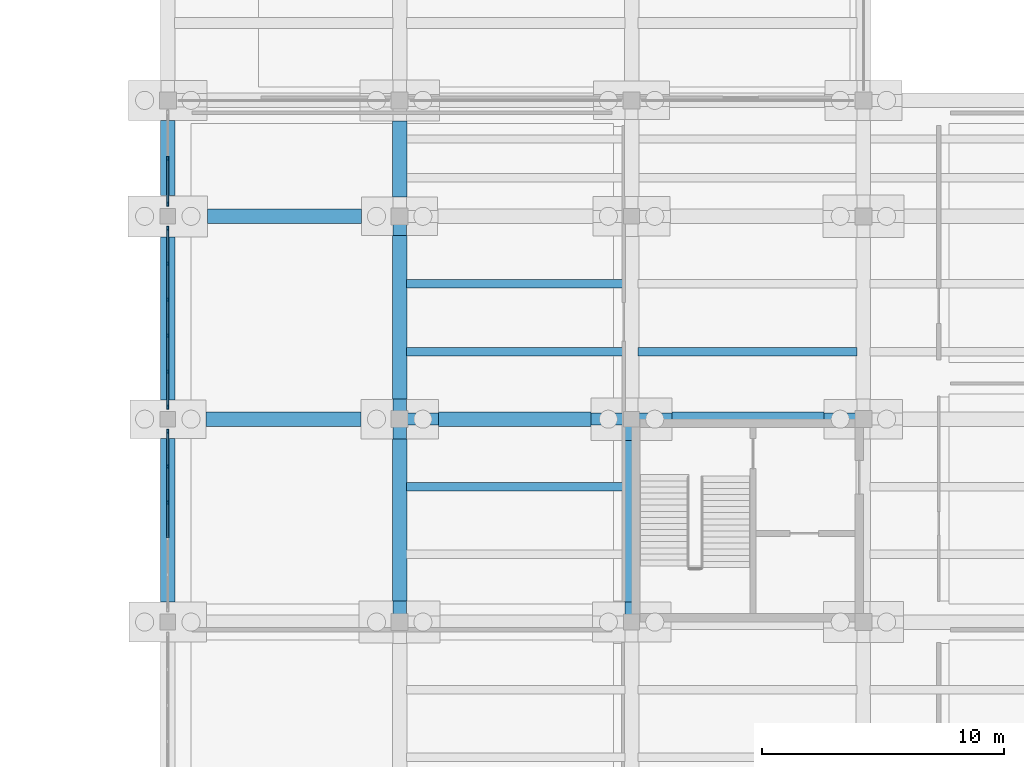
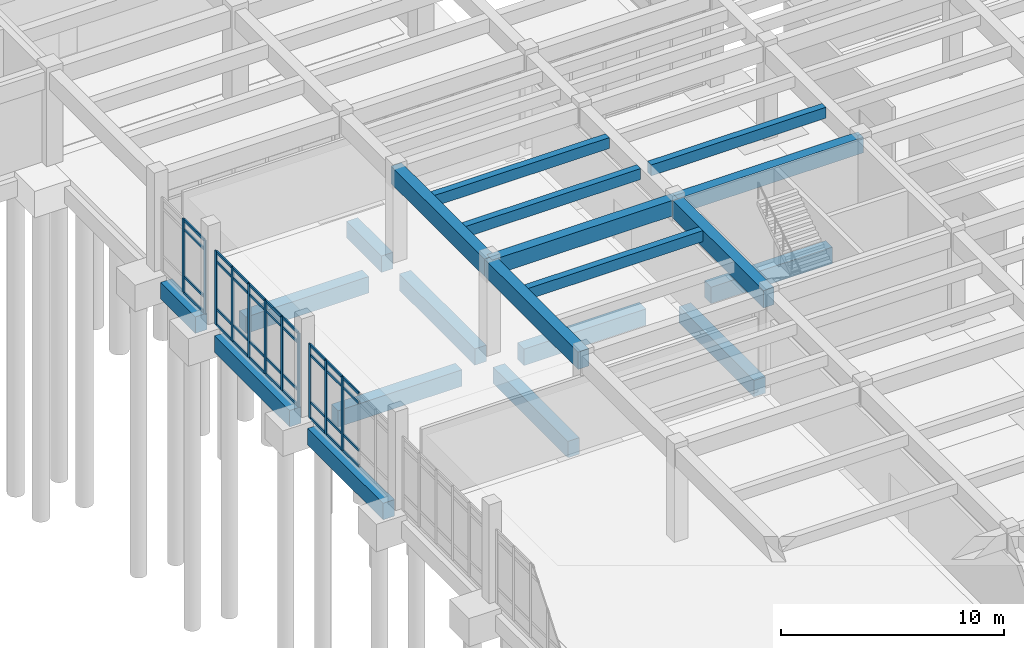
# One storey, part 49 of 102: 47 members, 20 beams, 3 elements without a shape of their own.
"""IFC4 building model written with IfcOpenShell, lengths in metres."""

from ifc_helpers import new_model, si_unit, direction, frame, origin, origin_2d, place, context, subcontext, project, spatial, rectangle, extrude, material, layer, layer_set, material_profile, profile_set, type_object, element, aggregate, save


model = new_model("IFC4")

# Units and contexts
model_context = context("Model", 3, precision=1e-05, world=origin(), true_north=direction((0.0, 1.0)))
body_context = subcontext(model_context, "Body", "Model", "MODEL_VIEW")
ifc_project = project(units=[si_unit("LENGTHUNIT", "METRE"), si_unit("AREAUNIT", "SQUARE_METRE"), si_unit("VOLUMEUNIT", "CUBIC_METRE"), si_unit("PLANEANGLEUNIT", "RADIAN"), si_unit("MASSUNIT", "GRAM", prefix="KILO")], contexts=[model_context])

# Site, building, storey
site_placement = place(None, origin())
site = spatial("IfcSite", under=ifc_project, at=site_placement, CompositionType="ELEMENT")
building_placement = place(site_placement, origin())
building = spatial("IfcBuilding", under=site, at=building_placement, Name="Kolvemor Railside Polytechnic", CompositionType="ELEMENT")
storey_placement = place(building_placement, origin())
storey = spatial("IfcBuildingStorey", under=building, at=storey_placement, Name="L00", CompositionType="ELEMENT", Elevation=0.0)

# Beams
ifc_material_1 = material(Name="Concrete C40/50", Category="concrete")
ifc_material_profile_1 = material_profile(ifc_material_1, rectangle(XDim=0.550048828125, YDim=0.949951171875, at=origin_2d()), Name="RC550x950")
ifc_profile_set_1 = profile_set([ifc_material_profile_1], Name="Concrete C40/50")
beam_type_1 = type_object("IfcBeamType", Name="BM-RC-GIRD", PredefinedType="BEAM", material=ifc_profile_set_1)
beam_1_placement = place(storey_placement, frame((144.0, 60.0, 4.635009765625), z_axis=(0.0, 1.0, 0.0), x_axis=(-1.0, 0.0, 0.0)))
element("IfcBeam", 1, at=beam_1_placement, inside=storey, type_object=beam_type_1, Name="Primary Girder L01-GY 0384", PredefinedType="BEAM", context=body_context, shape_type="SweptSolid", body=[
    extrude(rectangle(XDim=0.550048828125, YDim=0.949951171875, at=origin_2d()), origin(), (0.0, 0.0, 1.0), 8.39990234375),
])
beam_2_placement = place(storey_placement, frame((144.0, 68.39990234375, 4.635009765625), z_axis=(0.0, 1.0, 0.0), x_axis=(-1.0, 0.0, 0.0)))
element("IfcBeam", 2, at=beam_2_placement, inside=storey, type_object=beam_type_1, Name="Primary Girder L01-GY 0385", PredefinedType="BEAM", context=body_context, shape_type="SweptSolid", body=[
    extrude(rectangle(XDim=0.550048828125, YDim=0.949951171875, at=origin_2d()), origin(), (0.0, 0.0, 1.0), 8.400146484375),
])
beam_3_placement = place(storey_placement, frame((153.60009765625, 60.0, 4.635009765625), z_axis=(0.0, 1.0, 0.0), x_axis=(-1.0, 0.0, 0.0)))
element("IfcBeam", 3, at=beam_3_placement, inside=storey, type_object=beam_type_1, Name="Primary Girder L01-GY 0393", PredefinedType="BEAM", context=body_context, shape_type="SweptSolid", body=[
    extrude(rectangle(XDim=0.550048828125, YDim=0.949951171875, at=origin_2d()), origin(), (0.0, 0.0, 1.0), 8.39990234375),
])
ifc_material_2 = material(Name="Concrete C40/50", Category="concrete")
ifc_material_profile_2 = material_profile(ifc_material_2, rectangle(XDim=0.5, YDim=0.85009765625, at=origin_2d()), Name="RC500x850")
ifc_profile_set_2 = profile_set([ifc_material_profile_2], Name="Concrete C40/50")
beam_type_2 = type_object("IfcBeamType", Name="BM-RC-GIRD3", PredefinedType="BEAM", material=ifc_profile_set_2)
beam_4_placement = place(storey_placement, frame((144.0, 68.39990234375, 4.68505859375), z_axis=(1.0, 0.0, 0.0), x_axis=(0.0, 1.0, 0.0)))
element("IfcBeam", 4, at=beam_4_placement, inside=storey, type_object=beam_type_2, Name="Primary Girder L01-GX 0366", PredefinedType="BEAM", context=body_context, shape_type="SweptSolid", body=[
    extrude(rectangle(XDim=0.5, YDim=0.85009765625, at=origin_2d()), origin(), (0.0, 0.0, 1.0), 9.60009765625),
])
beam_5_placement = place(storey_placement, frame((153.60009765625, 68.39990234375, 4.68505859375), z_axis=(1.0, 0.0, 0.0), x_axis=(0.0, 1.0, 0.0)))
element("IfcBeam", 5, at=beam_5_placement, inside=storey, type_object=beam_type_2, Name="Primary Girder L01-GX 0367", PredefinedType="BEAM", context=body_context, shape_type="SweptSolid", body=[
    extrude(rectangle(XDim=0.5, YDim=0.85009765625, at=origin_2d()), origin(), (0.0, 0.0, 1.0), 9.599853515625),
])
ifc_material_3 = material(Name="Concrete C40/50", Category="concrete")
ifc_material_profile_3 = material_profile(ifc_material_3, rectangle(XDim=0.35009765625, YDim=0.60009765625, at=origin_2d()), Name="RC350x600")
ifc_profile_set_3 = profile_set([ifc_material_profile_3], Name="Concrete C40/50")
beam_type_3 = type_object("IfcBeamType", Name="BM-RC-SEC3", PredefinedType="JOIST", material=ifc_profile_set_3)
for number, where, z_axis, x_axis, name in (
    (6, (144.27490234375, 65.60009765625, 4.81005859375), (1.0, 0.0, 0.0), (0.0, 1.0, 0.0), "Floor Joist L01-J0436"),
    (7, (144.27490234375, 71.199951171875, 4.81005859375), (1.0, 0.0, 0.0), (0.0, 1.0, 0.0), "Floor Joist L01-J0437"),
    (8, (144.27490234375, 74.0, 4.81005859375), (1.0, 0.0, 0.0), (0.0, 1.0, 0.0), "Floor Joist L01-J0438"),
    (9, (153.875, 71.199951171875, 4.81005859375), (1.0, 0.0, 0.0), (0.0, 1.0, 0.0), "Floor Joist L01-J0451"),
):
    element("IfcBeam", number, at=place(storey_placement, frame(where, z_axis=z_axis, x_axis=x_axis)), inside=storey, type_object=beam_type_3, Name=name, PredefinedType="JOIST", context=body_context, shape_type="SweptSolid", body=[
        extrude(rectangle(XDim=0.35009765625, YDim=0.60009765625, at=origin_2d()), origin(), (0.0, 0.0, 1.0), 9.050048828125),
    ])
ifc_material_4 = material(Name="Concrete C40/50", Category="concrete")
ifc_material_profile_4 = material_profile(ifc_material_4, rectangle(XDim=0.60009765625, YDim=0.89990234375, at=origin_2d()), Name="RC600x900")
ifc_profile_set_4 = profile_set([ifc_material_profile_4], Name="Concrete C40/50")
beam_type_4 = type_object("IfcBeamType", Name="BM-RC-TIE", PredefinedType="BEAM", material=ifc_profile_set_4)
beam_6_placement = place(storey_placement, frame((135.97705078125, 68.39990234375, -0.75), z_axis=(1.0, 0.0, 0.0), x_axis=(0.0, 1.0, 0.0)))
element("IfcBeam", 10, at=beam_6_placement, inside=storey, type_object=beam_type_4, Name="Ground Tie Beam GTB-X160", PredefinedType="BEAM", context=body_context, shape_type="SweptSolid", body=[
    extrude(rectangle(XDim=0.60009765625, YDim=0.89990234375, at=origin_2d()), origin(), (0.0, 0.0, 1.0), 6.4208984375),
])
beam_7_placement = place(storey_placement, frame((145.60205078125, 68.39990234375, -0.75), z_axis=(1.0, 0.0, 0.0), x_axis=(0.0, 1.0, 0.0)))
element("IfcBeam", 11, at=beam_7_placement, inside=storey, type_object=beam_type_4, Name="Ground Tie Beam GTB-X161", PredefinedType="BEAM", context=body_context, shape_type="SweptSolid", body=[
    extrude(rectangle(XDim=0.60009765625, YDim=0.89990234375, at=origin_2d()), origin(), (0.0, 0.0, 1.0), 6.321044921875),
])
beam_8_placement = place(storey_placement, frame((155.277099609375, 68.39990234375, -0.75), z_axis=(1.0, 0.0, 0.0), x_axis=(0.0, 1.0, 0.0)))
element("IfcBeam", 12, at=beam_8_placement, inside=storey, type_object=beam_type_4, Name="Ground Tie Beam GTB-X162", PredefinedType="BEAM", context=body_context, shape_type="SweptSolid", body=[
    extrude(rectangle(XDim=0.60009765625, YDim=0.89990234375, at=origin_2d()), origin(), (0.0, 0.0, 1.0), 6.2958984375),
])
beam_9_placement = place(storey_placement, frame((136.052001953125, 76.800048828125, -0.75), z_axis=(1.0, 0.0, 0.0), x_axis=(0.0, 1.0, 0.0)))
element("IfcBeam", 13, at=beam_9_placement, inside=storey, type_object=beam_type_4, Name="Ground Tie Beam GTB-X170", PredefinedType="BEAM", context=body_context, shape_type="SweptSolid", body=[
    extrude(rectangle(XDim=0.60009765625, YDim=0.89990234375, at=origin_2d()), origin(), (0.0, 0.0, 1.0), 6.37109375),
])
beam_10_placement = place(storey_placement, frame((134.39990234375, 60.826904296875, -0.75), z_axis=(0.0, 1.0, 0.0), x_axis=(-1.0, 0.0, 0.0)))
element("IfcBeam", 14, at=beam_10_placement, inside=storey, type_object=beam_type_4, Name="Ground Tie Beam GTB-Y385", PredefinedType="BEAM", context=body_context, shape_type="SweptSolid", body=[
    extrude(rectangle(XDim=0.60009765625, YDim=0.89990234375, at=origin_2d()), origin(), (0.0, 0.0, 1.0), 6.77099609375),
])
beam_11_placement = place(storey_placement, frame((134.39990234375, 69.201904296875, -0.75), z_axis=(0.0, 1.0, 0.0), x_axis=(-1.0, 0.0, 0.0)))
element("IfcBeam", 15, at=beam_11_placement, inside=storey, type_object=beam_type_4, Name="Ground Tie Beam GTB-Y386", PredefinedType="BEAM", context=body_context, shape_type="SweptSolid", body=[
    extrude(rectangle(XDim=0.60009765625, YDim=0.89990234375, at=origin_2d()), origin(), (0.0, 0.0, 1.0), 6.74609375),
])
beam_12_placement = place(storey_placement, frame((134.39990234375, 77.652099609375, -0.75), z_axis=(0.0, 1.0, 0.0), x_axis=(-1.0, 0.0, 0.0)))
element("IfcBeam", 16, at=beam_12_placement, inside=storey, type_object=beam_type_4, Name="Ground Tie Beam GTB-Y387", PredefinedType="BEAM", context=body_context, shape_type="SweptSolid", body=[
    extrude(rectangle(XDim=0.60009765625, YDim=0.89990234375, at=origin_2d()), origin(), (0.0, 0.0, 1.0), 3.120849609375),
])
beam_13_placement = place(storey_placement, frame((144.0, 60.876953125, -0.75), z_axis=(0.0, 1.0, 0.0), x_axis=(-1.0, 0.0, 0.0)))
element("IfcBeam", 17, at=beam_13_placement, inside=storey, type_object=beam_type_4, Name="Ground Tie Beam GTB-Y398", PredefinedType="BEAM", context=body_context, shape_type="SweptSolid", body=[
    extrude(rectangle(XDim=0.60009765625, YDim=0.89990234375, at=origin_2d()), origin(), (0.0, 0.0, 1.0), 6.696044921875),
])
beam_14_placement = place(storey_placement, frame((144.0, 69.22705078125, -0.75), z_axis=(0.0, 1.0, 0.0), x_axis=(-1.0, 0.0, 0.0)))
element("IfcBeam", 18, at=beam_14_placement, inside=storey, type_object=beam_type_4, Name="Ground Tie Beam GTB-Y399", PredefinedType="BEAM", context=body_context, shape_type="SweptSolid", body=[
    extrude(rectangle(XDim=0.60009765625, YDim=0.89990234375, at=origin_2d()), origin(), (0.0, 0.0, 1.0), 6.77099609375),
])
beam_15_placement = place(storey_placement, frame((144.0, 77.60205078125, -0.75), z_axis=(0.0, 1.0, 0.0), x_axis=(-1.0, 0.0, 0.0)))
element("IfcBeam", 19, at=beam_15_placement, inside=storey, type_object=beam_type_4, Name="Ground Tie Beam GTB-Y400", PredefinedType="BEAM", context=body_context, shape_type="SweptSolid", body=[
    extrude(rectangle(XDim=0.60009765625, YDim=0.89990234375, at=origin_2d()), origin(), (0.0, 0.0, 1.0), 3.14599609375),
])
beam_16_placement = place(storey_placement, frame((153.60009765625, 60.826904296875, -0.75), z_axis=(0.0, 1.0, 0.0), x_axis=(-1.0, 0.0, 0.0)))
element("IfcBeam", 20, at=beam_16_placement, inside=storey, type_object=beam_type_4, Name="Ground Tie Beam GTB-Y411", PredefinedType="BEAM", context=body_context, shape_type="SweptSolid", body=[
    extrude(rectangle(XDim=0.60009765625, YDim=0.89990234375, at=origin_2d()), origin(), (0.0, 0.0, 1.0), 6.696044921875),
])

# Curtain wall, members
ifc_material_5 = material(Name="Anodised marine aluminium and laminated low-E glass", Category="aluminium")
ifc_layer = layer(ifc_material_5, 0.179931640625, Name="CW-UNIT-STD")
ifc_layer_set = layer_set([ifc_layer], Name="Anodised marine aluminium and laminated low-E glass")
curtain_wall_type = type_object("IfcCurtainWallType", Name="CW-UNIT-STD", PredefinedType="USERDEFINED", material=ifc_layer_set)
curtain_wall_1_placement = place(storey_placement, origin())
curtain_wall_1 = element("IfcCurtainWall", 21, at=curtain_wall_1_placement, inside=storey, type_object=curtain_wall_type, Name="Curtain Wall L00-079", ObjectType="UNITISED CURTAIN WALL", PredefinedType="USERDEFINED")
ifc_material_6 = material(Name="Anodised marine aluminium 6063-T6", Category="aluminium")
ifc_material_profile_5 = material_profile(ifc_material_6, rectangle(XDim=0.074951171875, YDim=0.179931640625, at=origin_2d()), Name="CW-MUL-75x180")
ifc_profile_set_5 = profile_set([ifc_material_profile_5], Name="Anodised marine aluminium 6063-T6")
member_type_1 = type_object("IfcMemberType", Name="CWM-75x180", PredefinedType="MULLION", material=ifc_profile_set_5)
member_1_placement = place(storey_placement, frame((134.39990234375, 67.892578125, 0.0), z_axis=(0.0, 0.0, 1.0), x_axis=(1.0, 0.0, 0.0)))
member_1 = element("IfcMember", 22, at=member_1_placement, type_object=member_type_1, Name="CW-STD mullion 1", PredefinedType="MULLION", context=body_context, shape_type="SweptSolid", body=[
    extrude(rectangle(XDim=0.074951171875, YDim=0.179931640625, at=origin_2d()), origin(), (0.0, 0.0, 1.0), 4.0400390625),
])
member_2_placement = place(storey_placement, frame((134.39990234375, 66.43798828125, 0.0), z_axis=(0.0, 0.0, 1.0), x_axis=(1.0, 0.0, 0.0)))
member_2 = element("IfcMember", 23, at=member_2_placement, type_object=member_type_1, Name="CW-STD mullion 2", PredefinedType="MULLION", context=body_context, shape_type="SweptSolid", body=[
    extrude(rectangle(XDim=0.074951171875, YDim=0.179931640625, at=origin_2d()), origin(), (0.0, 0.0, 1.0), 4.0400390625),
])
member_3_placement = place(storey_placement, frame((134.39990234375, 64.946044921875, 0.0), z_axis=(0.0, 0.0, 1.0), x_axis=(1.0, 0.0, 0.0)))
member_3 = element("IfcMember", 24, at=member_3_placement, type_object=member_type_1, Name="CW-STD mullion 3", PredefinedType="MULLION", context=body_context, shape_type="SweptSolid", body=[
    extrude(rectangle(XDim=0.074951171875, YDim=0.179931640625, at=origin_2d()), origin(), (0.0, 0.0, 1.0), 4.0400390625),
])

curtain_wall_2_placement = place(storey_placement, origin())
curtain_wall_2 = element("IfcCurtainWall", 25, at=curtain_wall_2_placement, inside=storey, type_object=curtain_wall_type, Name="Curtain Wall L00-086", ObjectType="UNITISED CURTAIN WALL", PredefinedType="USERDEFINED")
member_4_placement = place(storey_placement, frame((134.39990234375, 76.29248046875, 0.0), z_axis=(0.0, 0.0, 1.0), x_axis=(1.0, 0.0, 0.0)))
member_4 = element("IfcMember", 26, at=member_4_placement, type_object=member_type_1, Name="CW-STD mullion 1", PredefinedType="MULLION", context=body_context, shape_type="SweptSolid", body=[
    extrude(rectangle(XDim=0.074951171875, YDim=0.179931640625, at=origin_2d()), origin(), (0.0, 0.0, 1.0), 4.0400390625),
])
member_5_placement = place(storey_placement, frame((134.39990234375, 74.837890625, 0.0), z_axis=(0.0, 0.0, 1.0), x_axis=(1.0, 0.0, 0.0)))
member_5 = element("IfcMember", 27, at=member_5_placement, type_object=member_type_1, Name="CW-STD mullion 2", PredefinedType="MULLION", context=body_context, shape_type="SweptSolid", body=[
    extrude(rectangle(XDim=0.074951171875, YDim=0.179931640625, at=origin_2d()), origin(), (0.0, 0.0, 1.0), 4.0400390625),
])
member_6_placement = place(storey_placement, frame((134.39990234375, 73.345947265625, 0.0), z_axis=(0.0, 0.0, 1.0), x_axis=(1.0, 0.0, 0.0)))
member_6 = element("IfcMember", 28, at=member_6_placement, type_object=member_type_1, Name="CW-STD mullion 3", PredefinedType="MULLION", context=body_context, shape_type="SweptSolid", body=[
    extrude(rectangle(XDim=0.074951171875, YDim=0.179931640625, at=origin_2d()), origin(), (0.0, 0.0, 1.0), 4.0400390625),
])
member_7_placement = place(storey_placement, frame((134.39990234375, 71.85400390625, 0.0), z_axis=(0.0, 0.0, 1.0), x_axis=(1.0, 0.0, 0.0)))
member_7 = element("IfcMember", 29, at=member_7_placement, type_object=member_type_1, Name="CW-STD mullion 4", PredefinedType="MULLION", context=body_context, shape_type="SweptSolid", body=[
    extrude(rectangle(XDim=0.074951171875, YDim=0.179931640625, at=origin_2d()), origin(), (0.0, 0.0, 1.0), 4.0400390625),
])
member_8_placement = place(storey_placement, frame((134.39990234375, 70.362060546875, 0.0), z_axis=(0.0, 0.0, 1.0), x_axis=(1.0, 0.0, 0.0)))
member_8 = element("IfcMember", 30, at=member_8_placement, type_object=member_type_1, Name="CW-STD mullion 5", PredefinedType="MULLION", context=body_context, shape_type="SweptSolid", body=[
    extrude(rectangle(XDim=0.074951171875, YDim=0.179931640625, at=origin_2d()), origin(), (0.0, 0.0, 1.0), 4.0400390625),
])
member_9_placement = place(storey_placement, frame((134.39990234375, 68.907470703125, 0.0), z_axis=(0.0, 0.0, 1.0), x_axis=(1.0, 0.0, 0.0)))
member_9 = element("IfcMember", 31, at=member_9_placement, type_object=member_type_1, Name="CW-STD mullion 6", PredefinedType="MULLION", context=body_context, shape_type="SweptSolid", body=[
    extrude(rectangle(XDim=0.074951171875, YDim=0.179931640625, at=origin_2d()), origin(), (0.0, 0.0, 1.0), 4.0400390625),
])

curtain_wall_3_placement = place(storey_placement, origin())
curtain_wall_3 = element("IfcCurtainWall", 32, at=curtain_wall_3_placement, inside=storey, type_object=curtain_wall_type, Name="Curtain Wall L00-092", ObjectType="UNITISED CURTAIN WALL", PredefinedType="USERDEFINED")
member_10_placement = place(storey_placement, frame((134.39990234375, 79.199951171875, 0.0), z_axis=(0.0, 0.0, 1.0), x_axis=(1.0, 0.0, 0.0)))
member_10 = element("IfcMember", 33, at=member_10_placement, type_object=member_type_1, Name="CW-STD mullion 2", PredefinedType="MULLION", context=body_context, shape_type="SweptSolid", body=[
    extrude(rectangle(XDim=0.074951171875, YDim=0.179931640625, at=origin_2d()), origin(), (0.0, 0.0, 1.0), 4.0400390625),
])
member_11_placement = place(storey_placement, frame((134.39990234375, 77.3076171875, 0.0), z_axis=(0.0, 0.0, 1.0), x_axis=(1.0, 0.0, 0.0)))
member_11 = element("IfcMember", 34, at=member_11_placement, type_object=member_type_1, Name="CW-STD mullion 3", PredefinedType="MULLION", context=body_context, shape_type="SweptSolid", body=[
    extrude(rectangle(XDim=0.074951171875, YDim=0.179931640625, at=origin_2d()), origin(), (0.0, 0.0, 1.0), 4.0400390625),
])

# Member
ifc_material_7 = material(Name="Anodised marine aluminium 6063-T6", Category="aluminium")
ifc_material_profile_6 = material_profile(ifc_material_7, rectangle(XDim=0.074951171875, YDim=0.139892578125, at=origin_2d()), Name="CW-TRN-75x140")
ifc_profile_set_6 = profile_set([ifc_material_profile_6], Name="Anodised marine aluminium 6063-T6")
member_type_2 = type_object("IfcMemberType", Name="CWT-75x140", PredefinedType="USERDEFINED", material=ifc_profile_set_6)
member_12_placement = place(storey_placement, frame((134.39990234375, 67.85498046875, 0.03759765625), z_axis=(0.0, -1.0, 0.0), x_axis=(1.0, 0.0, 0.0)))
member_12 = element("IfcMember", 35, at=member_12_placement, type_object=member_type_2, Name="CW-STD transom 1.1", ObjectType="TRANSOM", PredefinedType="USERDEFINED", context=body_context, shape_type="SweptSolid", body=[
    extrude(rectangle(XDim=0.074951171875, YDim=0.139892578125, at=origin_2d()), origin(), (0.0, 0.0, 1.0), 1.37939453125),
])

member_13_placement = place(storey_placement, frame((134.39990234375, 67.85498046875, 0.89990234375), z_axis=(0.0, -1.0, 0.0), x_axis=(1.0, 0.0, 0.0)))
member_13 = element("IfcMember", 36, at=member_13_placement, type_object=member_type_2, Name="CW-STD transom 1.2", ObjectType="TRANSOM", PredefinedType="USERDEFINED", context=body_context, shape_type="SweptSolid", body=[
    extrude(rectangle(XDim=0.074951171875, YDim=0.139892578125, at=origin_2d()), origin(), (0.0, 0.0, 1.0), 1.37939453125),
])

member_14_placement = place(storey_placement, frame((134.39990234375, 67.85498046875, 3.489990234375), z_axis=(0.0, -1.0, 0.0), x_axis=(1.0, 0.0, 0.0)))
member_14 = element("IfcMember", 37, at=member_14_placement, type_object=member_type_2, Name="CW-STD transom 1.3", ObjectType="TRANSOM", PredefinedType="USERDEFINED", context=body_context, shape_type="SweptSolid", body=[
    extrude(rectangle(XDim=0.074951171875, YDim=0.139892578125, at=origin_2d()), origin(), (0.0, 0.0, 1.0), 1.37939453125),
])

member_15_placement = place(storey_placement, frame((134.39990234375, 67.85498046875, 4.00244140625), z_axis=(0.0, -1.0, 0.0), x_axis=(1.0, 0.0, 0.0)))
member_15 = element("IfcMember", 38, at=member_15_placement, type_object=member_type_2, Name="CW-STD transom 1.4", ObjectType="TRANSOM", PredefinedType="USERDEFINED", context=body_context, shape_type="SweptSolid", body=[
    extrude(rectangle(XDim=0.074951171875, YDim=0.139892578125, at=origin_2d()), origin(), (0.0, 0.0, 1.0), 1.37939453125),
])

member_16_placement = place(storey_placement, frame((134.39990234375, 66.400390625, 0.03759765625), z_axis=(0.0, -1.0, 0.0), x_axis=(1.0, 0.0, 0.0)))
member_16 = element("IfcMember", 39, at=member_16_placement, type_object=member_type_2, Name="CW-STD transom 2.1", ObjectType="TRANSOM", PredefinedType="USERDEFINED", context=body_context, shape_type="SweptSolid", body=[
    extrude(rectangle(XDim=0.074951171875, YDim=0.139892578125, at=origin_2d()), origin(), (0.0, 0.0, 1.0), 1.4169921875),
])

member_17_placement = place(storey_placement, frame((134.39990234375, 66.400390625, 0.89990234375), z_axis=(0.0, -1.0, 0.0), x_axis=(1.0, 0.0, 0.0)))
member_17 = element("IfcMember", 40, at=member_17_placement, type_object=member_type_2, Name="CW-STD transom 2.2", ObjectType="TRANSOM", PredefinedType="USERDEFINED", context=body_context, shape_type="SweptSolid", body=[
    extrude(rectangle(XDim=0.074951171875, YDim=0.139892578125, at=origin_2d()), origin(), (0.0, 0.0, 1.0), 1.4169921875),
])

member_18_placement = place(storey_placement, frame((134.39990234375, 66.400390625, 3.489990234375), z_axis=(0.0, -1.0, 0.0), x_axis=(1.0, 0.0, 0.0)))
member_18 = element("IfcMember", 41, at=member_18_placement, type_object=member_type_2, Name="CW-STD transom 2.3", ObjectType="TRANSOM", PredefinedType="USERDEFINED", context=body_context, shape_type="SweptSolid", body=[
    extrude(rectangle(XDim=0.074951171875, YDim=0.139892578125, at=origin_2d()), origin(), (0.0, 0.0, 1.0), 1.4169921875),
])

member_19_placement = place(storey_placement, frame((134.39990234375, 66.400390625, 4.00244140625), z_axis=(0.0, -1.0, 0.0), x_axis=(1.0, 0.0, 0.0)))
member_19 = element("IfcMember", 42, at=member_19_placement, type_object=member_type_2, Name="CW-STD transom 2.4", ObjectType="TRANSOM", PredefinedType="USERDEFINED", context=body_context, shape_type="SweptSolid", body=[
    extrude(rectangle(XDim=0.074951171875, YDim=0.139892578125, at=origin_2d()), origin(), (0.0, 0.0, 1.0), 1.4169921875),
])

member_20_placement = place(storey_placement, frame((134.39990234375, 64.908447265625, 0.03759765625), z_axis=(0.0, -1.0, 0.0), x_axis=(1.0, 0.0, 0.0)))
member_20 = element("IfcMember", 43, at=member_20_placement, type_object=member_type_2, Name="CW-STD transom 3.1", ObjectType="TRANSOM", PredefinedType="USERDEFINED", context=body_context, shape_type="SweptSolid", body=[
    extrude(rectangle(XDim=0.074951171875, YDim=0.139892578125, at=origin_2d()), origin(), (0.0, 0.0, 1.0), 1.4169921875),
])

member_21_placement = place(storey_placement, frame((134.39990234375, 64.908447265625, 0.89990234375), z_axis=(0.0, -1.0, 0.0), x_axis=(1.0, 0.0, 0.0)))
member_21 = element("IfcMember", 44, at=member_21_placement, type_object=member_type_2, Name="CW-STD transom 3.2", ObjectType="TRANSOM", PredefinedType="USERDEFINED", context=body_context, shape_type="SweptSolid", body=[
    extrude(rectangle(XDim=0.074951171875, YDim=0.139892578125, at=origin_2d()), origin(), (0.0, 0.0, 1.0), 1.4169921875),
])

member_22_placement = place(storey_placement, frame((134.39990234375, 64.908447265625, 3.489990234375), z_axis=(0.0, -1.0, 0.0), x_axis=(1.0, 0.0, 0.0)))
member_22 = element("IfcMember", 45, at=member_22_placement, type_object=member_type_2, Name="CW-STD transom 3.3", ObjectType="TRANSOM", PredefinedType="USERDEFINED", context=body_context, shape_type="SweptSolid", body=[
    extrude(rectangle(XDim=0.074951171875, YDim=0.139892578125, at=origin_2d()), origin(), (0.0, 0.0, 1.0), 1.4169921875),
])

member_23_placement = place(storey_placement, frame((134.39990234375, 64.908447265625, 4.00244140625), z_axis=(0.0, -1.0, 0.0), x_axis=(1.0, 0.0, 0.0)))
member_23 = element("IfcMember", 46, at=member_23_placement, type_object=member_type_2, Name="CW-STD transom 3.4", ObjectType="TRANSOM", PredefinedType="USERDEFINED", context=body_context, shape_type="SweptSolid", body=[
    extrude(rectangle(XDim=0.074951171875, YDim=0.139892578125, at=origin_2d()), origin(), (0.0, 0.0, 1.0), 1.4169921875),
])

aggregate(curtain_wall_1, [member_1, member_2, member_3, member_12, member_13, member_14, member_15, member_16, member_17, member_18, member_19, member_20, member_21, member_22, member_23])

member_24_placement = place(storey_placement, frame((134.39990234375, 76.2548828125, 0.03759765625), z_axis=(0.0, -1.0, 0.0), x_axis=(1.0, 0.0, 0.0)))
member_24 = element("IfcMember", 47, at=member_24_placement, type_object=member_type_2, Name="CW-STD transom 1.1", ObjectType="TRANSOM", PredefinedType="USERDEFINED", context=body_context, shape_type="SweptSolid", body=[
    extrude(rectangle(XDim=0.074951171875, YDim=0.139892578125, at=origin_2d()), origin(), (0.0, 0.0, 1.0), 1.37939453125),
])

member_25_placement = place(storey_placement, frame((134.39990234375, 76.2548828125, 0.89990234375), z_axis=(0.0, -1.0, 0.0), x_axis=(1.0, 0.0, 0.0)))
member_25 = element("IfcMember", 48, at=member_25_placement, type_object=member_type_2, Name="CW-STD transom 1.2", ObjectType="TRANSOM", PredefinedType="USERDEFINED", context=body_context, shape_type="SweptSolid", body=[
    extrude(rectangle(XDim=0.074951171875, YDim=0.139892578125, at=origin_2d()), origin(), (0.0, 0.0, 1.0), 1.37939453125),
])

member_26_placement = place(storey_placement, frame((134.39990234375, 76.2548828125, 3.489990234375), z_axis=(0.0, -1.0, 0.0), x_axis=(1.0, 0.0, 0.0)))
member_26 = element("IfcMember", 49, at=member_26_placement, type_object=member_type_2, Name="CW-STD transom 1.3", ObjectType="TRANSOM", PredefinedType="USERDEFINED", context=body_context, shape_type="SweptSolid", body=[
    extrude(rectangle(XDim=0.074951171875, YDim=0.139892578125, at=origin_2d()), origin(), (0.0, 0.0, 1.0), 1.37939453125),
])

member_27_placement = place(storey_placement, frame((134.39990234375, 76.2548828125, 4.00244140625), z_axis=(0.0, -1.0, 0.0), x_axis=(1.0, 0.0, 0.0)))
member_27 = element("IfcMember", 50, at=member_27_placement, type_object=member_type_2, Name="CW-STD transom 1.4", ObjectType="TRANSOM", PredefinedType="USERDEFINED", context=body_context, shape_type="SweptSolid", body=[
    extrude(rectangle(XDim=0.074951171875, YDim=0.139892578125, at=origin_2d()), origin(), (0.0, 0.0, 1.0), 1.37939453125),
])

member_28_placement = place(storey_placement, frame((134.39990234375, 74.800537109375, 0.03759765625), z_axis=(0.0, -1.0, 0.0), x_axis=(1.0, 0.0, 0.0)))
member_28 = element("IfcMember", 51, at=member_28_placement, type_object=member_type_2, Name="CW-STD transom 2.1", ObjectType="TRANSOM", PredefinedType="USERDEFINED", context=body_context, shape_type="SweptSolid", body=[
    extrude(rectangle(XDim=0.074951171875, YDim=0.139892578125, at=origin_2d()), origin(), (0.0, 0.0, 1.0), 1.4169921875),
])

member_29_placement = place(storey_placement, frame((134.39990234375, 74.800537109375, 0.89990234375), z_axis=(0.0, -1.0, 0.0), x_axis=(1.0, 0.0, 0.0)))
member_29 = element("IfcMember", 52, at=member_29_placement, type_object=member_type_2, Name="CW-STD transom 2.2", ObjectType="TRANSOM", PredefinedType="USERDEFINED", context=body_context, shape_type="SweptSolid", body=[
    extrude(rectangle(XDim=0.074951171875, YDim=0.139892578125, at=origin_2d()), origin(), (0.0, 0.0, 1.0), 1.4169921875),
])

member_30_placement = place(storey_placement, frame((134.39990234375, 74.800537109375, 3.489990234375), z_axis=(0.0, -1.0, 0.0), x_axis=(1.0, 0.0, 0.0)))
member_30 = element("IfcMember", 53, at=member_30_placement, type_object=member_type_2, Name="CW-STD transom 2.3", ObjectType="TRANSOM", PredefinedType="USERDEFINED", context=body_context, shape_type="SweptSolid", body=[
    extrude(rectangle(XDim=0.074951171875, YDim=0.139892578125, at=origin_2d()), origin(), (0.0, 0.0, 1.0), 1.4169921875),
])

member_31_placement = place(storey_placement, frame((134.39990234375, 74.800537109375, 4.00244140625), z_axis=(0.0, -1.0, 0.0), x_axis=(1.0, 0.0, 0.0)))
member_31 = element("IfcMember", 54, at=member_31_placement, type_object=member_type_2, Name="CW-STD transom 2.4", ObjectType="TRANSOM", PredefinedType="USERDEFINED", context=body_context, shape_type="SweptSolid", body=[
    extrude(rectangle(XDim=0.074951171875, YDim=0.139892578125, at=origin_2d()), origin(), (0.0, 0.0, 1.0), 1.4169921875),
])

member_32_placement = place(storey_placement, frame((134.39990234375, 73.30859375, 0.03759765625), z_axis=(0.0, -1.0, 0.0), x_axis=(1.0, 0.0, 0.0)))
member_32 = element("IfcMember", 55, at=member_32_placement, type_object=member_type_2, Name="CW-STD transom 3.1", ObjectType="TRANSOM", PredefinedType="USERDEFINED", context=body_context, shape_type="SweptSolid", body=[
    extrude(rectangle(XDim=0.074951171875, YDim=0.139892578125, at=origin_2d()), origin(), (0.0, 0.0, 1.0), 1.4169921875),
])

member_33_placement = place(storey_placement, frame((134.39990234375, 73.30859375, 0.89990234375), z_axis=(0.0, -1.0, 0.0), x_axis=(1.0, 0.0, 0.0)))
member_33 = element("IfcMember", 56, at=member_33_placement, type_object=member_type_2, Name="CW-STD transom 3.2", ObjectType="TRANSOM", PredefinedType="USERDEFINED", context=body_context, shape_type="SweptSolid", body=[
    extrude(rectangle(XDim=0.074951171875, YDim=0.139892578125, at=origin_2d()), origin(), (0.0, 0.0, 1.0), 1.4169921875),
])

member_34_placement = place(storey_placement, frame((134.39990234375, 73.30859375, 3.489990234375), z_axis=(0.0, -1.0, 0.0), x_axis=(1.0, 0.0, 0.0)))
member_34 = element("IfcMember", 57, at=member_34_placement, type_object=member_type_2, Name="CW-STD transom 3.3", ObjectType="TRANSOM", PredefinedType="USERDEFINED", context=body_context, shape_type="SweptSolid", body=[
    extrude(rectangle(XDim=0.074951171875, YDim=0.139892578125, at=origin_2d()), origin(), (0.0, 0.0, 1.0), 1.4169921875),
])

member_35_placement = place(storey_placement, frame((134.39990234375, 73.30859375, 4.00244140625), z_axis=(0.0, -1.0, 0.0), x_axis=(1.0, 0.0, 0.0)))
member_35 = element("IfcMember", 58, at=member_35_placement, type_object=member_type_2, Name="CW-STD transom 3.4", ObjectType="TRANSOM", PredefinedType="USERDEFINED", context=body_context, shape_type="SweptSolid", body=[
    extrude(rectangle(XDim=0.074951171875, YDim=0.139892578125, at=origin_2d()), origin(), (0.0, 0.0, 1.0), 1.4169921875),
])

member_36_placement = place(storey_placement, frame((134.39990234375, 71.81640625, 0.03759765625), z_axis=(0.0, -1.0, 0.0), x_axis=(1.0, 0.0, 0.0)))
member_36 = element("IfcMember", 59, at=member_36_placement, type_object=member_type_2, Name="CW-STD transom 4.1", ObjectType="TRANSOM", PredefinedType="USERDEFINED", context=body_context, shape_type="SweptSolid", body=[
    extrude(rectangle(XDim=0.074951171875, YDim=0.139892578125, at=origin_2d()), origin(), (0.0, 0.0, 1.0), 1.4169921875),
])

member_37_placement = place(storey_placement, frame((134.39990234375, 71.81640625, 0.89990234375), z_axis=(0.0, -1.0, 0.0), x_axis=(1.0, 0.0, 0.0)))
member_37 = element("IfcMember", 60, at=member_37_placement, type_object=member_type_2, Name="CW-STD transom 4.2", ObjectType="TRANSOM", PredefinedType="USERDEFINED", context=body_context, shape_type="SweptSolid", body=[
    extrude(rectangle(XDim=0.074951171875, YDim=0.139892578125, at=origin_2d()), origin(), (0.0, 0.0, 1.0), 1.4169921875),
])

member_38_placement = place(storey_placement, frame((134.39990234375, 71.81640625, 3.489990234375), z_axis=(0.0, -1.0, 0.0), x_axis=(1.0, 0.0, 0.0)))
member_38 = element("IfcMember", 61, at=member_38_placement, type_object=member_type_2, Name="CW-STD transom 4.3", ObjectType="TRANSOM", PredefinedType="USERDEFINED", context=body_context, shape_type="SweptSolid", body=[
    extrude(rectangle(XDim=0.074951171875, YDim=0.139892578125, at=origin_2d()), origin(), (0.0, 0.0, 1.0), 1.4169921875),
])

member_39_placement = place(storey_placement, frame((134.39990234375, 71.81640625, 4.00244140625), z_axis=(0.0, -1.0, 0.0), x_axis=(1.0, 0.0, 0.0)))
member_39 = element("IfcMember", 62, at=member_39_placement, type_object=member_type_2, Name="CW-STD transom 4.4", ObjectType="TRANSOM", PredefinedType="USERDEFINED", context=body_context, shape_type="SweptSolid", body=[
    extrude(rectangle(XDim=0.074951171875, YDim=0.139892578125, at=origin_2d()), origin(), (0.0, 0.0, 1.0), 1.4169921875),
])

member_40_placement = place(storey_placement, frame((134.39990234375, 70.324462890625, 0.03759765625), z_axis=(0.0, -1.0, 0.0), x_axis=(1.0, 0.0, 0.0)))
member_40 = element("IfcMember", 63, at=member_40_placement, type_object=member_type_2, Name="CW-STD transom 5.1", ObjectType="TRANSOM", PredefinedType="USERDEFINED", context=body_context, shape_type="SweptSolid", body=[
    extrude(rectangle(XDim=0.074951171875, YDim=0.139892578125, at=origin_2d()), origin(), (0.0, 0.0, 1.0), 1.37939453125),
])

member_41_placement = place(storey_placement, frame((134.39990234375, 70.324462890625, 0.89990234375), z_axis=(0.0, -1.0, 0.0), x_axis=(1.0, 0.0, 0.0)))
member_41 = element("IfcMember", 64, at=member_41_placement, type_object=member_type_2, Name="CW-STD transom 5.2", ObjectType="TRANSOM", PredefinedType="USERDEFINED", context=body_context, shape_type="SweptSolid", body=[
    extrude(rectangle(XDim=0.074951171875, YDim=0.139892578125, at=origin_2d()), origin(), (0.0, 0.0, 1.0), 1.37939453125),
])

member_42_placement = place(storey_placement, frame((134.39990234375, 70.324462890625, 3.489990234375), z_axis=(0.0, -1.0, 0.0), x_axis=(1.0, 0.0, 0.0)))
member_42 = element("IfcMember", 65, at=member_42_placement, type_object=member_type_2, Name="CW-STD transom 5.3", ObjectType="TRANSOM", PredefinedType="USERDEFINED", context=body_context, shape_type="SweptSolid", body=[
    extrude(rectangle(XDim=0.074951171875, YDim=0.139892578125, at=origin_2d()), origin(), (0.0, 0.0, 1.0), 1.37939453125),
])

member_43_placement = place(storey_placement, frame((134.39990234375, 70.324462890625, 4.00244140625), z_axis=(0.0, -1.0, 0.0), x_axis=(1.0, 0.0, 0.0)))
member_43 = element("IfcMember", 66, at=member_43_placement, type_object=member_type_2, Name="CW-STD transom 5.4", ObjectType="TRANSOM", PredefinedType="USERDEFINED", context=body_context, shape_type="SweptSolid", body=[
    extrude(rectangle(XDim=0.074951171875, YDim=0.139892578125, at=origin_2d()), origin(), (0.0, 0.0, 1.0), 1.37939453125),
])

aggregate(curtain_wall_2, [member_4, member_5, member_6, member_7, member_8, member_9, member_24, member_25, member_26, member_27, member_28, member_29, member_30, member_31, member_32, member_33, member_34, member_35, member_36, member_37, member_38, member_39, member_40, member_41, member_42, member_43])

member_44_placement = place(storey_placement, frame((134.39990234375, 79.16259765625, 0.03759765625), z_axis=(0.0, -1.0, 0.0), x_axis=(1.0, 0.0, 0.0)))
member_44 = element("IfcMember", 67, at=member_44_placement, type_object=member_type_2, Name="CW-STD transom 2.1", ObjectType="TRANSOM", PredefinedType="USERDEFINED", context=body_context, shape_type="SweptSolid", body=[
    extrude(rectangle(XDim=0.074951171875, YDim=0.139892578125, at=origin_2d()), origin(), (0.0, 0.0, 1.0), 1.817626953125),
])

member_45_placement = place(storey_placement, frame((134.39990234375, 79.16259765625, 0.89990234375), z_axis=(0.0, -1.0, 0.0), x_axis=(1.0, 0.0, 0.0)))
member_45 = element("IfcMember", 68, at=member_45_placement, type_object=member_type_2, Name="CW-STD transom 2.2", ObjectType="TRANSOM", PredefinedType="USERDEFINED", context=body_context, shape_type="SweptSolid", body=[
    extrude(rectangle(XDim=0.074951171875, YDim=0.139892578125, at=origin_2d()), origin(), (0.0, 0.0, 1.0), 1.817626953125),
])

member_46_placement = place(storey_placement, frame((134.39990234375, 79.16259765625, 3.489990234375), z_axis=(0.0, -1.0, 0.0), x_axis=(1.0, 0.0, 0.0)))
member_46 = element("IfcMember", 69, at=member_46_placement, type_object=member_type_2, Name="CW-STD transom 2.3", ObjectType="TRANSOM", PredefinedType="USERDEFINED", context=body_context, shape_type="SweptSolid", body=[
    extrude(rectangle(XDim=0.074951171875, YDim=0.139892578125, at=origin_2d()), origin(), (0.0, 0.0, 1.0), 1.817626953125),
])

member_47_placement = place(storey_placement, frame((134.39990234375, 79.16259765625, 4.00244140625), z_axis=(0.0, -1.0, 0.0), x_axis=(1.0, 0.0, 0.0)))
member_47 = element("IfcMember", 70, at=member_47_placement, type_object=member_type_2, Name="CW-STD transom 2.4", ObjectType="TRANSOM", PredefinedType="USERDEFINED", context=body_context, shape_type="SweptSolid", body=[
    extrude(rectangle(XDim=0.074951171875, YDim=0.139892578125, at=origin_2d()), origin(), (0.0, 0.0, 1.0), 1.817626953125),
])

aggregate(curtain_wall_3, [member_10, member_11, member_44, member_45, member_46, member_47])

save(model, "model.ifc")
